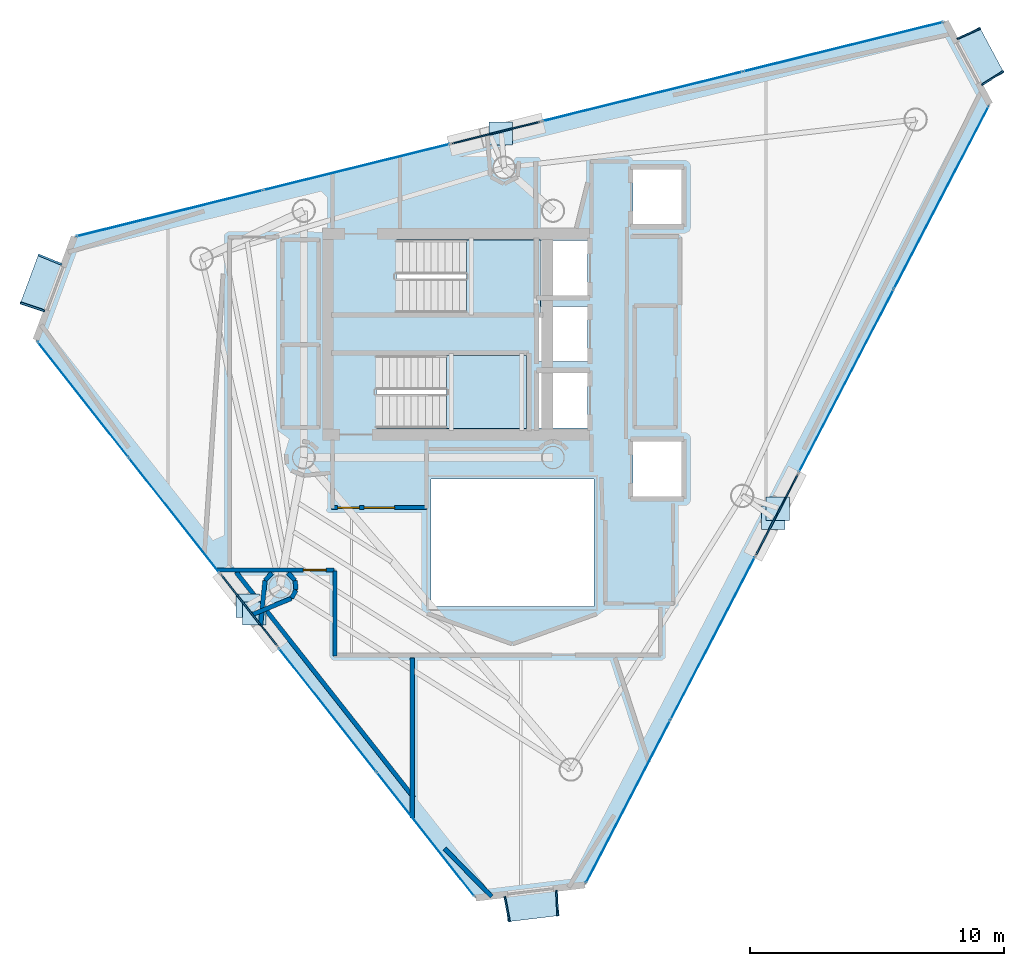
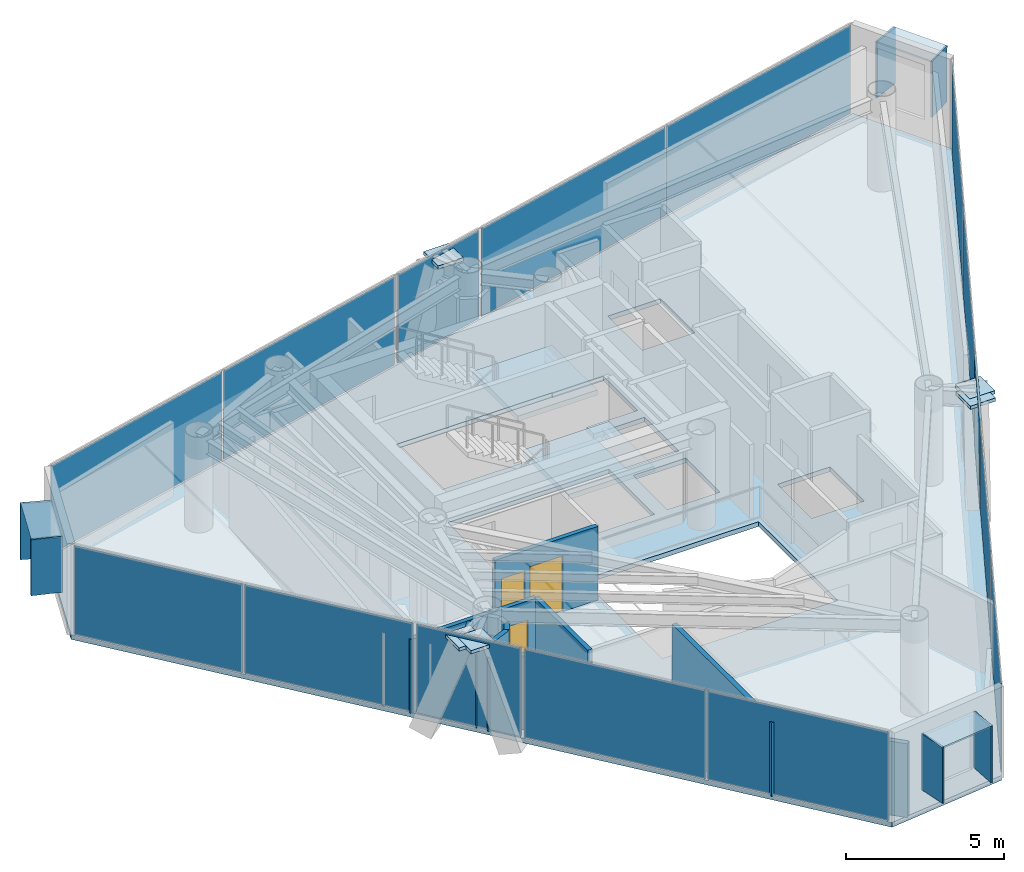
# One storey, part 17 of 21: 29 plates, 12 walls, 3 doors, 3 slabs, 3 openings, 11 elements without a shape of their own.
"""IFC4 building model written with IfcOpenShell, lengths in metres."""

from ifc_helpers import new_model, si_unit, direction, frame, frame_2d, origin, origin_2d, place, context, subcontext, project, spatial, polyline, rectangle, outline, extrude, material, layer, layer_set, type_object, element, fill, aggregate, save


model = new_model("IFC4")

# Units and contexts
model_context = context("Model", 3, precision=1e-05, world=origin(), true_north=direction((0.0, 1.0)))
body_context = subcontext(model_context, "Body", "Model", "MODEL_VIEW")
ifc_project = project(units=[si_unit("LENGTHUNIT", "METRE"), si_unit("AREAUNIT", "SQUARE_METRE"), si_unit("VOLUMEUNIT", "CUBIC_METRE"), si_unit("PLANEANGLEUNIT", "RADIAN"), si_unit("MASSUNIT", "GRAM", prefix="KILO")], contexts=[model_context])

# Site, building, storey
site_placement = place(None, origin())
site = spatial("IfcSite", under=ifc_project, at=site_placement, CompositionType="ELEMENT")
building_placement = place(site_placement, origin())
building = spatial("IfcBuilding", under=site, at=building_placement, Name="Qianvela Tower", CompositionType="ELEMENT")
storey_placement = place(building_placement, frame((0.0, 0.0, 310.199951171875)))
storey = spatial("IfcBuildingStorey", under=building, at=storey_placement, Name="L80", CompositionType="ELEMENT", Elevation=310.199951171875)

# Curtain wall, plate
ifc_material_1 = material(Name="Anodised Architectural Aluminium and Insulated Spandrel Panel", Category="aluminium")
ifc_layer_1 = layer(ifc_material_1, 0.179931640625)
ifc_layer_set_1 = layer_set([ifc_layer_1], Name="Anodised Architectural Aluminium and Insulated Spandrel Panel")
curtain_wall_type_1 = type_object("IfcCurtainWallType", Name="CW-BRACEBAY", PredefinedType="USERDEFINED", material=ifc_layer_set_1)
curtain_wall_1_placement = place(storey_placement, origin())
curtain_wall_1 = element("IfcCurtainWall", 1, at=curtain_wall_1_placement, inside=storey, type_object=curtain_wall_type_1, Name="L80 CW-BRACEBAY Curtain Wall 02B", ObjectType="CURTAIN_WALL_SYSTEM", PredefinedType="USERDEFINED")
ifc_material_2 = material(Name="Insulated Aluminium Spandrel Panel with Mineral-Wool Backpan", Category="aluminium")
ifc_layer_2 = layer(ifc_material_2, 0.06005859375)
ifc_layer_set_2 = layer_set([ifc_layer_2], Name="Insulated Aluminium Spandrel Panel with Mineral-Wool Backpan")
plate_type_1 = type_object("IfcPlateType", Name="CW-BRACEBAY-PNL", PredefinedType="CURTAIN_PANEL", material=ifc_layer_set_2)
plate_1_placement = place(storey_placement, frame((36.159912109375, 36.6201171875, 0.06494140625), z_axis=(0.0, 0.0, 1.0), x_axis=(-0.970772195691, -0.240002800137, 0.0)))
plate_1 = element("IfcPlate", 2, at=plate_1_placement, type_object=plate_type_1, Name="CW-9 panel 1.1", PredefinedType="CURTAIN_PANEL", context=body_context, shape_type="SweptSolid", body=[
    extrude(rectangle(XDim=3.550048828125, YDim=0.06005859375, at=origin_2d()), origin(), (0.0, 0.0, 1.0), 3.389892578125),
])
aggregate(curtain_wall_1, [plate_1])

curtain_wall_2_placement = place(storey_placement, origin())
curtain_wall_2 = element("IfcCurtainWall", 3, at=curtain_wall_2_placement, inside=storey, type_object=curtain_wall_type_1, Name="L80 CW-BRACEBAY Curtain Wall 04B", ObjectType="CURTAIN_WALL_SYSTEM", PredefinedType="USERDEFINED")
plate_2_placement = place(storey_placement, frame((26.455810546875, 17.843994140625, 0.06494140625), z_axis=(0.0, 0.0, 1.0), x_axis=(0.618958593109, -0.785423618194, 0.0)))
plate_2 = element("IfcPlate", 4, at=plate_2_placement, type_object=plate_type_1, Name="CW-9 panel 1.1", PredefinedType="CURTAIN_PANEL", context=body_context, shape_type="SweptSolid", body=[
    extrude(rectangle(XDim=3.550048828125, YDim=0.06005859375, at=origin_2d()), origin(), (0.0, 0.0, 1.0), 3.389892578125),
])
aggregate(curtain_wall_2, [plate_2])

curtain_wall_3_placement = place(storey_placement, origin())
curtain_wall_3 = element("IfcCurtainWall", 5, at=curtain_wall_3_placement, inside=storey, type_object=curtain_wall_type_1, Name="L80 CW-BRACEBAY Curtain Wall 06B", ObjectType="CURTAIN_WALL_SYSTEM", PredefinedType="USERDEFINED")
plate_3_placement = place(storey_placement, frame((47.1982421875, 21.60791015625, 0.06494140625), z_axis=(0.0, 0.0, 1.0), x_axis=(0.460306852855, 0.887759878128, 0.0)))
plate_3 = element("IfcPlate", 6, at=plate_3_placement, type_object=plate_type_1, Name="CW-9 panel 1.1", PredefinedType="CURTAIN_PANEL", context=body_context, shape_type="SweptSolid", body=[
    extrude(rectangle(XDim=3.550048828125, YDim=0.06005859375, at=origin_2d()), origin(), (0.0, 0.0, 1.0), 3.389892578125),
])
aggregate(curtain_wall_3, [plate_3])

# Curtain wall, plates
ifc_material_3 = material(Name="Anodised Architectural Aluminium and Low-E Glass", Category="aluminium")
ifc_layer_3 = layer(ifc_material_3, 0.14990234375)
ifc_layer_set_3 = layer_set([ifc_layer_3], Name="Anodised Architectural Aluminium and Low-E Glass")
curtain_wall_type_2 = type_object("IfcCurtainWallType", Name="CW-COLIV-Z78", PredefinedType="USERDEFINED", material=ifc_layer_set_3)
curtain_wall_4_placement = place(storey_placement, origin())
curtain_wall_4 = element("IfcCurtainWall", 7, at=curtain_wall_4_placement, inside=storey, type_object=curtain_wall_type_2, Name="L80 CW-COLIV-Z78 Curtain Wall 02A", ObjectType="CURTAIN_WALL_SYSTEM", PredefinedType="USERDEFINED")
ifc_material_4 = material(Name="Double-Silver Low-E Insulated Glass", Category="glass")
ifc_layer_4 = layer(ifc_material_4, 0.02587890625)
ifc_layer_set_4 = layer_set([ifc_layer_4], Name="Double-Silver Low-E Insulated Glass")
plate_type_2 = type_object("IfcPlateType", Name="CW-COLIV-Z78-PNL", PredefinedType="CURTAIN_PANEL", material=ifc_layer_set_4)
plate_4_placement = place(storey_placement, frame((49.799072265625, 39.9921875, 0.06005859375), z_axis=(0.0, 0.0, 1.0), x_axis=(-0.970771465396, -0.240005754043, 0.0)))
plate_4 = element("IfcPlate", 8, at=plate_4_placement, type_object=plate_type_2, Name="CW-6 panel 1.1", PredefinedType="CURTAIN_PANEL", context=body_context, shape_type="SweptSolid", body=[
    extrude(rectangle(XDim=8.06005859375, YDim=0.02587890625, at=origin_2d()), origin(), (0.0, 0.0, 1.0), 3.39990234375),
])
plate_5_placement = place(storey_placement, frame((41.91650390625, 38.043212890625, 0.06005859375), z_axis=(0.0, 0.0, 1.0), x_axis=(-0.970771465396, -0.240005754043, 0.0)))
plate_5 = element("IfcPlate", 9, at=plate_5_placement, type_object=plate_type_2, Name="CW-6 panel 2.1", PredefinedType="CURTAIN_PANEL", context=body_context, shape_type="SweptSolid", body=[
    extrude(rectangle(XDim=8.06005859375, YDim=0.02587890625, at=origin_2d()), origin(), (0.0, 0.0, 1.0), 3.39990234375),
])
aggregate(curtain_wall_4, [plate_4, plate_5])

curtain_wall_5_placement = place(storey_placement, origin())
curtain_wall_5 = element("IfcCurtainWall", 10, at=curtain_wall_5_placement, inside=storey, type_object=curtain_wall_type_2, Name="L80 CW-COLIV-Z78 Curtain Wall 02C", ObjectType="CURTAIN_WALL_SYSTEM", PredefinedType="USERDEFINED")
plate_6_placement = place(storey_placement, frame((30.67431640625, 35.263916015625, 0.06005859375), z_axis=(0.0, 0.0, 1.0), x_axis=(-0.970771111136, -0.240007186942, 0.0)))
plate_6 = element("IfcPlate", 11, at=plate_6_placement, type_object=plate_type_2, Name="CW-6 panel 1.1", PredefinedType="CURTAIN_PANEL", context=body_context, shape_type="SweptSolid", body=[
    extrude(rectangle(XDim=7.50146484375, YDim=0.02587890625, at=origin_2d()), origin(), (0.0, 0.0, 1.0), 3.39990234375),
])
plate_7_placement = place(storey_placement, frame((23.333740234375, 33.44921875, 0.06005859375), z_axis=(0.0, 0.0, 1.0), x_axis=(-0.970771111136, -0.240007186942, 0.0)))
plate_7 = element("IfcPlate", 12, at=plate_7_placement, type_object=plate_type_2, Name="CW-6 panel 2.1", PredefinedType="CURTAIN_PANEL", context=body_context, shape_type="SweptSolid", body=[
    extrude(rectangle(XDim=7.50146484375, YDim=0.02587890625, at=origin_2d()), origin(), (0.0, 0.0, 1.0), 3.39990234375),
])
aggregate(curtain_wall_5, [plate_6, plate_7])

curtain_wall_6_placement = place(storey_placement, origin())
curtain_wall_6 = element("IfcCurtainWall", 13, at=curtain_wall_6_placement, inside=storey, type_object=curtain_wall_type_2, Name="L80 CW-COLIV-Z78 Curtain Wall 04A", ObjectType="CURTAIN_WALL_SYSTEM", PredefinedType="USERDEFINED")
plate_8_placement = place(storey_placement, frame((19.922607421875, 26.134033203125, 0.06005859375), z_axis=(0.0, 0.0, 1.0), x_axis=(0.618961048989, -0.785421682814, 0.0)))
plate_8 = element("IfcPlate", 14, at=plate_8_placement, type_object=plate_type_2, Name="CW-6 panel 1.1", PredefinedType="CURTAIN_PANEL", context=body_context, shape_type="SweptSolid", body=[
    extrude(rectangle(XDim=5.72998046875, YDim=0.02587890625, at=origin_2d()), origin(), (0.0, 0.0, 1.0), 3.39990234375),
])
plate_9_placement = place(storey_placement, frame((23.50634765625, 21.586669921875, 0.06005859375), z_axis=(0.0, 0.0, 1.0), x_axis=(0.618961048989, -0.785421682814, 0.0)))
plate_9 = element("IfcPlate", 15, at=plate_9_placement, type_object=plate_type_2, Name="CW-6 panel 2.1", PredefinedType="CURTAIN_PANEL", context=body_context, shape_type="SweptSolid", body=[
    extrude(rectangle(XDim=5.72998046875, YDim=0.02587890625, at=origin_2d()), origin(), (0.0, 0.0, 1.0), 3.39990234375),
])
aggregate(curtain_wall_6, [plate_8, plate_9])

curtain_wall_7_placement = place(storey_placement, origin())
curtain_wall_7 = element("IfcCurtainWall", 16, at=curtain_wall_7_placement, inside=storey, type_object=curtain_wall_type_2, Name="L80 CW-COLIV-Z78 Curtain Wall 04C", ObjectType="CURTAIN_WALL_SYSTEM", PredefinedType="USERDEFINED")
plate_10_placement = place(storey_placement, frame((29.538330078125, 13.9326171875, 0.06005859375), z_axis=(0.0, 0.0, 1.0), x_axis=(0.618963164559, -0.785420015609, 0.0)))
plate_10 = element("IfcPlate", 17, at=plate_10_placement, type_object=plate_type_2, Name="CW-6 panel 1.1", PredefinedType="CURTAIN_PANEL", context=body_context, shape_type="SweptSolid", body=[
    extrude(rectangle(XDim=6.159912109375, YDim=0.02587890625, at=origin_2d()), origin(), (0.0, 0.0, 1.0), 3.39990234375),
])
plate_11_placement = place(storey_placement, frame((33.38818359375, 9.04736328125, 0.06005859375), z_axis=(0.0, 0.0, 1.0), x_axis=(0.618963164559, -0.785420015609, 0.0)))
plate_11 = element("IfcPlate", 18, at=plate_11_placement, type_object=plate_type_2, Name="CW-6 panel 2.1", PredefinedType="CURTAIN_PANEL", context=body_context, shape_type="SweptSolid", body=[
    extrude(rectangle(XDim=6.159912109375, YDim=0.02587890625, at=origin_2d()), origin(), (0.0, 0.0, 1.0), 3.39990234375),
])
aggregate(curtain_wall_7, [plate_10, plate_11])

curtain_wall_8_placement = place(storey_placement, origin())
curtain_wall_8 = element("IfcCurtainWall", 19, at=curtain_wall_8_placement, inside=storey, type_object=curtain_wall_type_2, Name="L80 CW-COLIV-Z78 Curtain Wall 06A", ObjectType="CURTAIN_WALL_SYSTEM", PredefinedType="USERDEFINED")
plate_12_placement = place(storey_placement, frame((41.352294921875, 10.33349609375, 0.06005859375), z_axis=(0.0, 0.0, 1.0), x_axis=(0.460310118779, 0.887758184727, 0.0)))
plate_12 = element("IfcPlate", 20, at=plate_12_placement, type_object=plate_type_2, Name="CW-6 panel 1.1", PredefinedType="CURTAIN_PANEL", context=body_context, shape_type="SweptSolid", body=[
    extrude(rectangle(XDim=7.159912109375, YDim=0.02587890625, at=origin_2d()), origin(), (0.0, 0.0, 1.0), 3.39990234375),
])
plate_13_placement = place(storey_placement, frame((44.67578125, 16.7431640625, 0.06005859375), z_axis=(0.0, 0.0, 1.0), x_axis=(0.460310118779, 0.887758184727, 0.0)))
plate_13 = element("IfcPlate", 21, at=plate_13_placement, type_object=plate_type_2, Name="CW-6 panel 2.1", PredefinedType="CURTAIN_PANEL", context=body_context, shape_type="SweptSolid", body=[
    extrude(rectangle(XDim=7.159912109375, YDim=0.02587890625, at=origin_2d()), origin(), (0.0, 0.0, 1.0), 3.39990234375),
])
aggregate(curtain_wall_8, [plate_12, plate_13])

curtain_wall_9_placement = place(storey_placement, origin())
curtain_wall_9 = element("IfcCurtainWall", 22, at=curtain_wall_9_placement, inside=storey, type_object=curtain_wall_type_2, Name="L80 CW-COLIV-Z78 Curtain Wall 06C", ObjectType="CURTAIN_WALL_SYSTEM", PredefinedType="USERDEFINED")
plate_14_placement = place(storey_placement, frame((49.92529296875, 26.867431640625, 0.06005859375), z_axis=(0.0, 0.0, 1.0), x_axis=(0.46030909538, 0.887758715367, 0.0)))
plate_14 = element("IfcPlate", 23, at=plate_14_placement, type_object=plate_type_2, Name="CW-6 panel 1.1", PredefinedType="CURTAIN_PANEL", context=body_context, shape_type="SweptSolid", body=[
    extrude(rectangle(XDim=8.04931640625, YDim=0.02587890625, at=origin_2d()), origin(), (0.0, 0.0, 1.0), 3.39990234375),
])
plate_15_placement = place(storey_placement, frame((53.657958984375, 34.066650390625, 0.06005859375), z_axis=(0.0, 0.0, 1.0), x_axis=(0.46030909538, 0.887758715367, 0.0)))
plate_15 = element("IfcPlate", 24, at=plate_15_placement, type_object=plate_type_2, Name="CW-6 panel 2.1", PredefinedType="CURTAIN_PANEL", context=body_context, shape_type="SweptSolid", body=[
    extrude(rectangle(XDim=8.04931640625, YDim=0.02587890625, at=origin_2d()), origin(), (0.0, 0.0, 1.0), 3.39990234375),
])
aggregate(curtain_wall_9, [plate_14, plate_15])

# Plates
ifc_material_5 = material(Name="Steel Q420GJC", Category="steel")
ifc_layer_5 = layer(ifc_material_5, 0.1298828125)
ifc_layer_set_5 = layer_set([ifc_layer_5], Name="Steel Q420GJC")
plate_type_3 = type_object("IfcPlateType", Name="PT-ENDCAP-130", PredefinedType="USERDEFINED", material=ifc_layer_set_5)
for number, where, z_axis, x_axis, name in (
    (25, (36.349853515625, 36.584716796875, 3.20947265625), (0.0, 0.0, 1.0), (1.0, 0.0, 0.0), "L80 Hollow Section End Cap Plate B"),
    (26, (26.408203125, 18.03369140625, 3.20947265625), (0.0, 0.0, 1.0), (1.0, 0.0, 0.0), "L80 Hollow Section End Cap Plate B"),
    (27, (26.65576171875, 17.7197265625, 3.209716796875), (0.0, 0.0, 1.0), (1.0, 0.0, 0.0), "L80 Hollow Section End Cap Plate B"),
    (28, (47.04736328125, 21.490966796875, 3.20947265625), (0.0, 0.0, 1.0), (1.0, 0.0, 0.0), "L80 Hollow Section End Cap Plate B"),
    (29, (47.2314453125, 21.845947265625, 3.209716796875), (0.0, 0.0, 1.0), (1.0, 0.0, 0.0), "L80 Hollow Section End Cap Plate B"),
):
    element("IfcPlate", number, at=place(storey_placement, frame(where, z_axis=z_axis, x_axis=x_axis)), inside=storey, type_object=plate_type_3, Name=name, ObjectType="END_CAP", PredefinedType="USERDEFINED", context=body_context, shape_type="SweptSolid", body=[
        extrude(rectangle(XDim=0.919921875, YDim=0.919921875, at=origin_2d()), origin(), (0.0, 0.0, 1.0), 0.1298828125),
    ])

# Slab
ifc_material_6 = material(Name="Concrete C40", Category="concrete")
ifc_layer_6 = layer(ifc_material_6, 0.179931640625)
ifc_layer_set_6 = layer_set([ifc_layer_6], Name="Concrete C40")
slab_type_1 = type_object("IfcSlabType", Name="SL-FLOOR-180", PredefinedType="FLOOR", material=ifc_layer_set_6)
slab_1_placement = place(storey_placement, frame((0.0, 0.0, -0.179931640625)))
element("IfcSlab", 30, at=slab_1_placement, inside=storey, type_object=slab_type_1, Name="L80 Composite Structural Floor Slab", PredefinedType="FLOOR", context=body_context, shape_type="SweptSolid", body=[
    extrude(outline(polyline([(55.561279296875, 37.737060546875), (53.818115234375, 40.98583984375), (19.5859375, 32.5224609375), (18.081298828125, 28.470703125), (35.362548828125, 6.541748046875), (39.65380859375, 7.0576171875), (55.561279296875, 37.737060546875)]), holes=[polyline([(40.0, 23.0), (33.60009765625, 23.0), (33.60009765625, 18.0), (40.0, 18.0), (40.0, 23.0)]), polyline([(43.4599609375, 24.47998046875), (41.5400390625, 24.47998046875), (41.5400390625, 22.320068359375), (43.4599609375, 22.320068359375), (43.4599609375, 24.47998046875)]), polyline([(39.760009765625, 27.179931640625), (37.840087890625, 27.179931640625), (37.840087890625, 25.02001953125), (39.760009765625, 25.02001953125), (39.760009765625, 27.179931640625)]), polyline([(37.35009765625, 27.860107421875), (31.469970703125, 27.860107421875), (31.469970703125, 25.0), (37.35009765625, 25.0), (37.35009765625, 27.860107421875)]), polyline([(39.760009765625, 27.6201171875), (39.760009765625, 29.780029296875), (37.89990234375, 29.780029296875), (37.89990234375, 30.219970703125), (39.760009765625, 30.219970703125), (39.760009765625, 32.3798828125), (37.89990234375, 32.3798828125), (37.89990234375, 32.39990234375), (32.25, 32.39990234375), (32.25, 29.5400390625), (37.840087890625, 29.5400390625), (37.840087890625, 27.6201171875), (39.760009765625, 27.6201171875)]), polyline([(43.4599609375, 35.179931640625), (41.5400390625, 35.179931640625), (41.5400390625, 33.02001953125), (43.4599609375, 33.02001953125), (43.4599609375, 35.179931640625)])]), origin(), (0.0, 0.0, 1.0), 0.179931640625),
])

# Stair, slab
ifc_material_7 = material(Name="Concrete C40", Category="concrete")
stair_type = type_object("IfcStairType", Name="ST-DOGLEG-1350-R168-N22", PredefinedType="HALF_TURN_STAIR", material=ifc_material_7)
stair_1_placement = place(storey_placement, origin())
stair_1 = element("IfcStair", 31, at=stair_1_placement, inside=storey, type_object=stair_type, Name="L80 Smoke-Proof Core Stair ST-1", PredefinedType="HALF_TURN_STAIR")
ifc_material_8 = material(Name="Concrete C40", Category="concrete")
ifc_layer_7 = layer(ifc_material_8, 0.199951171875)
ifc_layer_set_7 = layer_set([ifc_layer_7], Name="Concrete C40")
slab_type_2 = type_object("IfcSlabType", Name="SL-STAIR-LANDING-200", PredefinedType="LANDING", material=ifc_layer_set_7)
slab_2_placement = place(storey_placement, frame((0.0, 0.0, 1.650146484375)))
slab_2 = element("IfcSlab", 32, at=slab_2_placement, type_object=slab_type_2, Name="ST-1 landing 1", PredefinedType="LANDING", context=body_context, shape_type="SweptSolid", body=[
    extrude(outline(polyline([(35.0, 29.5400390625), (37.89990234375, 29.5400390625), (37.89990234375, 32.39990234375), (35.0, 32.39990234375), (35.0, 29.5400390625)])), origin(), (0.0, 0.0, 1.0), 0.199951171875),
])
aggregate(stair_1, [slab_2])

stair_2_placement = place(storey_placement, origin())
stair_2 = element("IfcStair", 33, at=stair_2_placement, inside=storey, type_object=stair_type, Name="L80 Smoke-Proof Core Stair ST-2", PredefinedType="HALF_TURN_STAIR")
slab_3_placement = place(storey_placement, frame((0.0, 0.0, 1.650146484375)))
slab_3 = element("IfcSlab", 34, at=slab_3_placement, type_object=slab_type_2, Name="ST-2 landing 1", PredefinedType="LANDING", context=body_context, shape_type="SweptSolid", body=[
    extrude(outline(polyline([(34.219970703125, 25.0), (37.35009765625, 25.0), (37.35009765625, 27.860107421875), (34.219970703125, 27.860107421875), (34.219970703125, 25.0)])), origin(), (0.0, 0.0, 1.0), 0.199951171875),
])
aggregate(stair_2, [slab_3])

# Plates
ifc_material_9 = material(Name="Vitrified Architectural Terracotta Panel", Category="masonry")
ifc_layer_8 = layer(ifc_material_9, 0.06005859375)
ifc_layer_set_8 = layer_set([ifc_layer_8], Name="Vitrified Architectural Terracotta Panel")
plate_type_4 = type_object("IfcPlateType", Name="TERRACOTTA-SUNSHADE-HOOD-FOLD-A", PredefinedType="USERDEFINED", material=ifc_layer_set_8)
for number, where, z_axis, x_axis, name in (
    (35, (55.205078125, 39.637939453125, 2.9599609375), (0.0, 0.0, 1.0), (-0.472795314857, 0.881172281821, 0.0), "L80 Terracotta Sunshade Hood FOLD-A"),
    (36, (37.577880859375, 6.218994140625, 2.9599609375), (0.0, 0.0, 1.0), (0.992853057424, 0.119343229236, 0.0), "L80 Terracotta Sunshade Hood FOLD-A"),
):
    element("IfcPlate", number, at=place(storey_placement, frame(where, z_axis=z_axis, x_axis=x_axis)), inside=storey, type_object=plate_type_4, Name=name, ObjectType="SUNSHADE", PredefinedType="USERDEFINED", context=body_context, shape_type="SweptSolid", body=[
        extrude(rectangle(XDim=2.0400390625, YDim=0.989990234375, at=origin_2d()), origin(), (0.0, 0.0, 1.0), 0.06005859375),
    ])
ifc_material_10 = material(Name="Vitrified Architectural Terracotta Panel", Category="masonry")
ifc_layer_9 = layer(ifc_material_10, 0.070068359375)
ifc_layer_set_9 = layer_set([ifc_layer_9], Name="Vitrified Architectural Terracotta Panel")
plate_type_5 = type_object("IfcPlateType", Name="TERRACOTTA-SUNSHADE-HOOD-FOLD-C", PredefinedType="USERDEFINED", material=ifc_layer_set_9)
plate_16_placement = place(storey_placement, frame((18.28515625, 30.7001953125, 2.9599609375), z_axis=(0.0, 0.0, 1.0), x_axis=(-0.348141777943, -0.93744189284, 0.0)))
element("IfcPlate", 37, at=plate_16_placement, inside=storey, type_object=plate_type_5, Name="L80 Terracotta Sunshade Hood FOLD-C", ObjectType="SUNSHADE", PredefinedType="USERDEFINED", context=body_context, shape_type="SweptSolid", body=[
    extrude(rectangle(XDim=2.0400390625, YDim=0.989990234375, at=origin_2d()), origin(), (0.0, 0.0, 1.0), 0.06005859375),
])
ifc_material_11 = material(Name="Vitrified Architectural Terracotta Side Fin Panel", Category="masonry")
ifc_layer_10 = layer(ifc_material_11, 0.06494140625)
ifc_layer_set_10 = layer_set([ifc_layer_10], Name="Vitrified Architectural Terracotta Side Fin Panel")
plate_type_6 = type_object("IfcPlateType", Name="TERRACOTTA-SUNSHADE-STRUT-FOLD-A", PredefinedType="USERDEFINED", material=ifc_layer_set_10)
for number, where, z_axis, x_axis, name in (
    (38, (55.673095703125, 38.765625, 0.85009765625), (0.0, 0.0, 1.0), (-0.533111080373, 0.846045256463, 0.0), "L80 Terracotta Sunshade Side Fin HL FOLD-A"),
    (39, (54.737060546875, 40.510498046875, 0.85009765625), (0.0, 0.0, 1.0), (-0.410176138091, 0.912006324397, 0.0), "L80 Terracotta Sunshade Side Fin HR FOLD-A"),
    (40, (36.594970703125, 6.1005859375, 0.85009765625), (0.0, 0.0, 1.0), (0.98210955444, 0.18831044336, 0.0), "L80 Terracotta Sunshade Side Fin HL FOLD-A"),
    (41, (38.560791015625, 6.3369140625, 0.85009765625), (0.0, 0.0, 1.0), (0.998759480113, 0.049794586896, 0.0), "L80 Terracotta Sunshade Side Fin HR FOLD-A"),
):
    element("IfcPlate", number, at=place(storey_placement, frame(where, z_axis=z_axis, x_axis=x_axis)), inside=storey, type_object=plate_type_6, Name=name, ObjectType="SUNSHADE", PredefinedType="USERDEFINED", context=body_context, shape_type="SweptSolid", body=[
        extrude(rectangle(XDim=0.06494140625, YDim=1.010009765625, at=origin_2d()), origin(), (0.0, 0.0, 1.0), 2.159912109375),
    ])
ifc_material_12 = material(Name="Vitrified Architectural Terracotta Side Fin Panel", Category="masonry")
ifc_layer_11 = layer(ifc_material_12, 0.074951171875)
ifc_layer_set_11 = layer_set([ifc_layer_11], Name="Vitrified Architectural Terracotta Side Fin Panel")
plate_type_7 = type_object("IfcPlateType", Name="TERRACOTTA-SUNSHADE-STRUT-FOLD-C", PredefinedType="USERDEFINED", material=ifc_layer_set_11)
for number, where, z_axis, x_axis, name in (
    (42, (18.6298828125, 31.62841796875, 0.85009765625), (0.0, 0.0, 1.0), (-0.380645949626, -0.924720855736, 0.0), "L80 Terracotta Sunshade Side Fin HL FOLD-C"),
    (43, (17.940673828125, 29.772216796875, 0.85009765625), (0.0, 0.0, 1.0), (-0.31521344913, -0.949020801399, 0.0), "L80 Terracotta Sunshade Side Fin HR FOLD-C"),
):
    element("IfcPlate", number, at=place(storey_placement, frame(where, z_axis=z_axis, x_axis=x_axis)), inside=storey, type_object=plate_type_7, Name=name, ObjectType="SUNSHADE", PredefinedType="USERDEFINED", context=body_context, shape_type="SweptSolid", body=[
        extrude(rectangle(XDim=0.074951171875, YDim=1.010009765625, at=origin_2d()), origin(), (0.0, 0.0, 1.0), 2.159912109375),
    ])

# Wall, openings, doors
ifc_material_13 = material(Name="Fire-Rated Gypsum and Concrete Block", Category="concrete")
ifc_layer_12 = layer(ifc_material_13, 0.159912109375)
ifc_layer_set_12 = layer_set([ifc_layer_12], Name="Fire-Rated Gypsum and Concrete Block")
wall_type_1 = type_object("IfcWallType", Name="WT-CORR-160", PredefinedType="PARTITIONING", material=ifc_layer_set_12)
wall_1_placement = place(storey_placement, frame((33.449951171875, 21.881103515625, 0.0), z_axis=(0.0, 0.0, 1.0), x_axis=(-1.0, 0.0, 0.0)))
wall_1 = element("IfcWall", 44, at=wall_1_placement, inside=storey, type_object=wall_type_1, Name="L80 Partition 5", PredefinedType="PARTITIONING", context=body_context, shape_type="SweptSolid", body=[
    extrude(rectangle(XDim=3.75, YDim=0.159912109375, at=frame_2d((1.875, 0.0))), origin(), (0.0, 0.0, 1.0), 2.840087890625),
])
opening_1_placement = place(wall_1_placement, frame((1.27490234375, 0.0, 0.0)))
opening_1 = element("IfcOpeningElement", 45, at=opening_1_placement, cuts=wall_1, Name="Opening D-LB1", PredefinedType="OPENING", context=body_context, shape_type="SweptSolid", body=[
    extrude(rectangle(XDim=1.199951171875, YDim=2.14990234375, at=frame_2d((0.60009765625, 1.074951171875))), frame((0.0, 0.08984375, 0.0), z_axis=(0.0, -1.0, 0.0), x_axis=(1.0, 0.0, 0.0)), (0.0, 0.0, 1.0), 0.179931640625),
])
opening_2_placement = place(wall_1_placement, frame((2.659912109375, 0.0, 0.0)))
opening_2 = element("IfcOpeningElement", 46, at=opening_2_placement, cuts=wall_1, Name="Opening D-LB2", PredefinedType="OPENING", context=body_context, shape_type="SweptSolid", body=[
    extrude(rectangle(XDim=0.860107421875, YDim=2.050048828125, at=frame_2d((0.43017578125, 1.02490234375))), frame((0.0, 0.08984375, 0.0), z_axis=(0.0, -1.0, 0.0), x_axis=(1.0, 0.0, 0.0)), (0.0, 0.0, 1.0), 0.179931640625),
])
ifc_material_14 = material(Name="Glazed Fire-Rated Steel Frame", Category="steel")
door_type_1 = type_object("IfcDoorType", Name="DT-LOBBY-FD90", OperationType="NOTDEFINED", PredefinedType="DOOR", material=ifc_material_14)
door_1_placement = place(opening_1_placement, origin())
door_1 = element("IfcDoor", 47, at=door_1_placement, inside=storey, type_object=door_type_1, Name="L80 Door L80 Firefighting Lobby South to L80 Floor Corridor", OperationType="SINGLE_SWING_RIGHT", OverallHeight=2.14990234375, OverallWidth=1.199951171875, PredefinedType="DOOR", context=body_context, shape_type="SweptSolid", body=[
    extrude(rectangle(XDim=1.199951171875, YDim=2.14990234375, at=frame_2d((0.60009765625, 1.074951171875))), frame((0.0, 0.02490234375, 0.0), z_axis=(0.0, -1.0, 0.0), x_axis=(1.0, 0.0, 0.0)), (0.0, 0.0, 1.0), 0.050048828125),
])
fill(opening_1, door_1)
ifc_material_15 = material(Name="Insulated Steel Fire Door Q355B", Category="steel")
door_type_2 = type_object("IfcDoorType", Name="DT-LOBBY-FD90-860", OperationType="NOTDEFINED", PredefinedType="DOOR", material=ifc_material_15)
door_2_placement = place(opening_2_placement, origin())
door_2 = element("IfcDoor", 48, at=door_2_placement, inside=storey, type_object=door_type_2, Name="L80 Door L80 Firefighting Lobby South to L80 Floor Corridor", OperationType="SINGLE_SWING_RIGHT", OverallHeight=2.050048828125, OverallWidth=0.860107421875, PredefinedType="DOOR", context=body_context, shape_type="SweptSolid", body=[
    extrude(rectangle(XDim=0.860107421875, YDim=2.050048828125, at=frame_2d((0.43017578125, 1.02490234375))), frame((0.0, 0.02490234375, 0.0), z_axis=(0.0, -1.0, 0.0), x_axis=(1.0, 0.0, 0.0)), (0.0, 0.0, 1.0), 0.050048828125),
])
fill(opening_2, door_2)

# Wall
wall_2_placement = place(storey_placement, frame((29.8310546875, 16.050048828125, 0.0), z_axis=(0.0, 0.0, 1.0), x_axis=(0.0, 1.0, 0.0)))
element("IfcWall", 49, at=wall_2_placement, inside=storey, type_object=wall_type_1, Name="L80 Partition 70", PredefinedType="PARTITIONING", context=body_context, shape_type="SweptSolid", body=[
    extrude(rectangle(XDim=3.349853515625, YDim=0.159912109375, at=frame_2d((1.6748046875, 0.0))), origin(), (0.0, 0.0, 1.0), 2.840087890625),
])

# Wall, opening, door
wall_3_placement = place(storey_placement, frame((29.800048828125, 19.430908203125, 0.0), z_axis=(0.0, 0.0, 1.0), x_axis=(-1.0, 0.0, 0.0)))
wall_3 = element("IfcWall", 50, at=wall_3_placement, inside=storey, type_object=wall_type_1, Name="L80 Partition 71", PredefinedType="PARTITIONING", context=body_context, shape_type="SweptSolid", body=[
    extrude(rectangle(XDim=4.61474609375, YDim=0.159912109375, at=frame_2d((2.307373046875, 0.0))), origin(), (0.0, 0.0, 1.0), 2.840087890625),
])
opening_3_placement = place(wall_3_placement, frame((0.3173828125, 0.0, 0.0)))
opening_3 = element("IfcOpeningElement", 51, at=opening_3_placement, cuts=wall_3, Name="Opening D-KT1", PredefinedType="OPENING", context=body_context, shape_type="SweptSolid", body=[
    extrude(rectangle(XDim=0.89990234375, YDim=2.10009765625, at=frame_2d((0.449951171875, 1.050048828125))), frame((0.0, 0.08984375, 0.0), z_axis=(0.0, -1.0, 0.0), x_axis=(1.0, 0.0, 0.0)), (0.0, 0.0, 1.0), 0.179931640625),
])
ifc_material_16 = material(Name="Glazed Timber Kitchen Door", Category="wood")
door_type_3 = type_object("IfcDoorType", Name="DT-KITCH-900", OperationType="NOTDEFINED", PredefinedType="DOOR", material=ifc_material_16)
door_3_placement = place(opening_3_placement, origin())
door_3 = element("IfcDoor", 52, at=door_3_placement, inside=storey, type_object=door_type_3, Name="L80 Door Shared Communal Kitchen L80-01 to L80 Floor Corridor", OperationType="SINGLE_SWING_LEFT", OverallHeight=2.10009765625, OverallWidth=0.89990234375, PredefinedType="DOOR", context=body_context, shape_type="SweptSolid", body=[
    extrude(rectangle(XDim=0.89990234375, YDim=2.10009765625, at=frame_2d((0.449951171875, 1.050048828125))), frame((0.0, 0.02490234375, 0.0), z_axis=(0.0, -1.0, 0.0), x_axis=(1.0, 0.0, 0.0)), (0.0, 0.0, 1.0), 0.050048828125),
])
fill(opening_3, door_3)

# Walls
ifc_material_17 = material(Name="Moisture-Resistant Acoustic Plumbing Wall")
ifc_layer_13 = layer(ifc_material_17, 0.175048828125)
ifc_layer_set_13 = layer_set([ifc_layer_13], Name="Moisture-Resistant Acoustic Plumbing Wall")
wall_type_2 = type_object("IfcWallType", Name="WT-PLUMB-175", PredefinedType="PLUMBINGWALL", material=ifc_layer_set_13)
wall_4_placement = place(storey_placement, frame((32.8671875, 15.97119140625, 0.0), z_axis=(0.0, 0.0, 1.0), x_axis=(0.0, -1.0, 0.0)))
element("IfcWall", 53, at=wall_4_placement, inside=storey, type_object=wall_type_2, Name="L80 Partition 75", PredefinedType="PLUMBINGWALL", context=body_context, shape_type="SweptSolid", body=[
    extrude(rectangle(XDim=6.282958984375, YDim=0.175048828125, at=frame_2d((3.1416015625, 0.0))), origin(), (0.0, 0.0, 1.0), 2.840087890625),
])
wall_5_placement = place(storey_placement, frame((32.922607421875, 10.48779296875, 0.0), z_axis=(0.0, 0.0, 1.0), x_axis=(-0.618958497861, 0.785423693254, 0.0)))
element("IfcWall", 54, at=wall_5_placement, inside=storey, type_object=wall_type_2, Name="L80 Partition 76", PredefinedType="PLUMBINGWALL", context=body_context, shape_type="SweptSolid", body=[
    extrude(rectangle(XDim=11.26953125, YDim=0.175048828125, at=frame_2d((5.634765625, 0.0))), origin(), (0.0, 0.0, 1.0), 2.840087890625),
])
wall_6_placement = place(storey_placement, frame((27.347412109375, 19.3056640625, 0.0), z_axis=(0.0, 0.0, 1.0), x_axis=(-0.68932010071, -0.724456899171, 0.0)))
element("IfcWall", 55, at=wall_6_placement, inside=storey, type_object=wall_type_2, Name="L80 Partition 78", PredefinedType="PLUMBINGWALL", context=body_context, shape_type="SweptSolid", body=[
    extrude(rectangle(XDim=0.382080078125, YDim=0.175048828125, at=frame_2d((0.19091796875, 0.0))), origin(), (0.0, 0.0, 1.0), 2.840087890625),
])
wall_7_placement = place(storey_placement, frame((27.07568359375, 19.010498046875, 0.0), z_axis=(0.0, 0.0, 1.0), x_axis=(-0.098092686465, -0.995177283132, 0.0)))
element("IfcWall", 56, at=wall_7_placement, inside=storey, type_object=wall_type_2, Name="L80 Partition 79", PredefinedType="PLUMBINGWALL", context=body_context, shape_type="SweptSolid", body=[
    extrude(rectangle(XDim=1.7646484375, YDim=0.175048828125, at=frame_2d((0.88232421875, 0.0))), origin(), (0.0, 0.0, 1.0), 2.840087890625),
])
wall_8_placement = place(storey_placement, frame((26.56591796875, 17.67333984375, 0.0), z_axis=(0.0, 0.0, 1.0), x_axis=(0.923945777078, 0.382523464666, 0.0)))
element("IfcWall", 57, at=wall_8_placement, inside=storey, type_object=wall_type_2, Name="L80 Partition 82", PredefinedType="PLUMBINGWALL", context=body_context, shape_type="SweptSolid", body=[
    extrude(rectangle(XDim=1.6748046875, YDim=0.175048828125, at=frame_2d((0.83740234375, 0.0))), origin(), (0.0, 0.0, 1.0), 2.840087890625),
])
wall_9_placement = place(storey_placement, frame((28.128662109375, 18.328125, 0.0), z_axis=(0.0, 0.0, 1.0), x_axis=(0.471589913721, 0.881817981942, 0.0)))
element("IfcWall", 58, at=wall_9_placement, inside=storey, type_object=wall_type_2, Name="L80 Partition 83", PredefinedType="PLUMBINGWALL", context=body_context, shape_type="SweptSolid", body=[
    extrude(rectangle(XDim=0.35400390625, YDim=0.175048828125, at=frame_2d((0.177001953125, 0.0))), origin(), (0.0, 0.0, 1.0), 2.840087890625),
])
wall_10_placement = place(storey_placement, frame((28.299072265625, 18.657958984375, 0.0), z_axis=(0.0, 0.0, 1.0), x_axis=(-0.097865889817, 0.995199611942, 0.0)))
element("IfcWall", 59, at=wall_10_placement, inside=storey, type_object=wall_type_2, Name="L80 Partition 84", PredefinedType="PLUMBINGWALL", context=body_context, shape_type="SweptSolid", body=[
    extrude(rectangle(XDim=0.354248046875, YDim=0.175048828125, at=frame_2d((0.17724609375, 0.0))), origin(), (0.0, 0.0, 1.0), 2.840087890625),
])
wall_11_placement = place(storey_placement, frame((28.256103515625, 19.02880859375, 0.0), z_axis=(0.0, 0.0, 1.0), x_axis=(-0.68932010071, 0.724456899171, 0.0)))
element("IfcWall", 60, at=wall_11_placement, inside=storey, type_object=wall_type_2, Name="L80 Partition 85", PredefinedType="PLUMBINGWALL", context=body_context, shape_type="SweptSolid", body=[
    extrude(rectangle(XDim=0.382080078125, YDim=0.175048828125, at=frame_2d((0.19091796875, 0.0))), origin(), (0.0, 0.0, 1.0), 2.840087890625),
])
wall_12_placement = place(storey_placement, frame((35.98681640625, 6.599609375, 0.0), z_axis=(0.0, 0.0, 1.0), x_axis=(-0.700632999923, 0.71352182827, 0.0)))
element("IfcWall", 61, at=wall_12_placement, inside=storey, type_object=wall_type_2, Name="L80 Partition 121 seg 1", PredefinedType="PLUMBINGWALL", context=body_context, shape_type="SweptSolid", body=[
    extrude(rectangle(XDim=2.633056640625, YDim=0.175048828125, at=frame_2d((1.31640625, 0.0))), origin(), (0.0, 0.0, 1.0), 2.840087890625),
])

save(model, "model.ifc")
